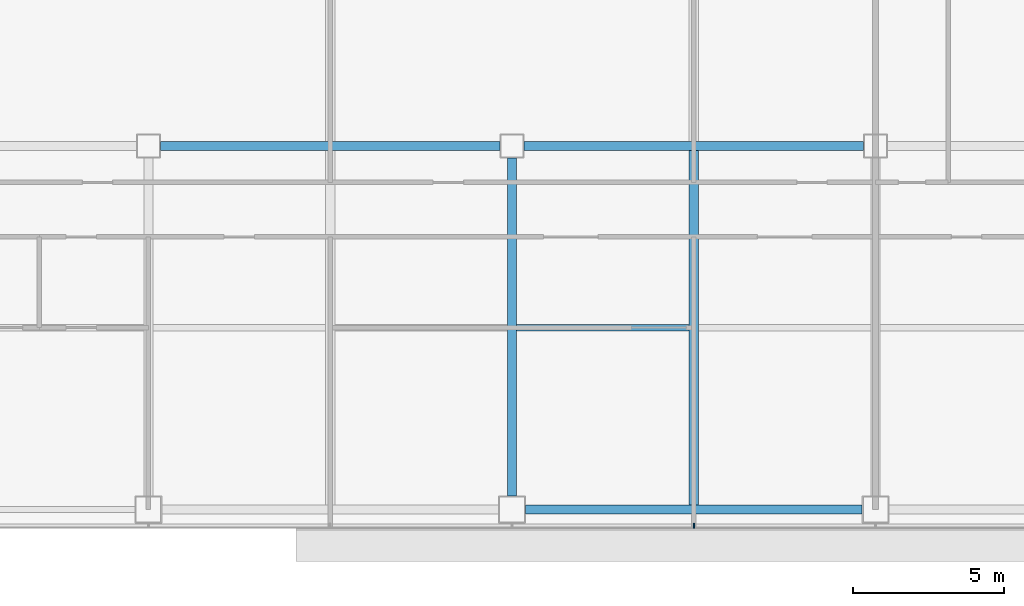
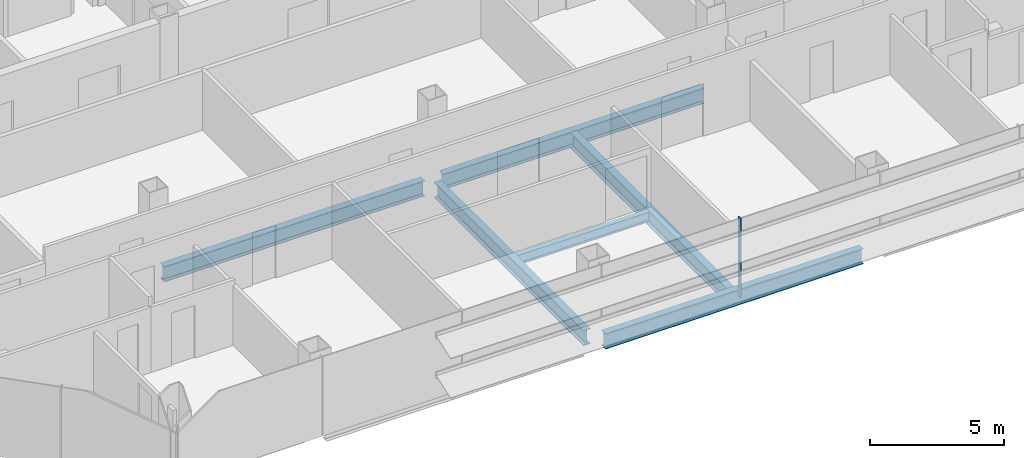
# One storey, part 3 of 27: 6 beams, 1 member, 1 element without a shape of its own.
"""IFC4 building model written with IfcOpenShell, lengths in metres."""

from ifc_helpers import new_model, si_unit, direction, frame, origin, origin_2d, place, context, subcontext, project, spatial, rectangle, i_section, extrude, material, material_profile, profile_set, type_object, element, aggregate, save


model = new_model("IFC4")

# Units and contexts
model_context = context("Model", 3, precision=1e-05, world=origin(), true_north=direction((0.0, 1.0)))
body_context = subcontext(model_context, "Body", "Model", "MODEL_VIEW")
ifc_project = project(units=[si_unit("LENGTHUNIT", "METRE"), si_unit("AREAUNIT", "SQUARE_METRE"), si_unit("VOLUMEUNIT", "CUBIC_METRE"), si_unit("PLANEANGLEUNIT", "RADIAN"), si_unit("MASSUNIT", "GRAM", prefix="KILO")], contexts=[model_context])

# Site, building, storey
site_placement = place(None, origin())
site = spatial("IfcSite", under=ifc_project, at=site_placement, CompositionType="ELEMENT")
building_placement = place(site_placement, origin())
building = spatial("IfcBuilding", under=site, at=building_placement, Name="Sorahane Residences", CompositionType="ELEMENT")
storey_placement = place(building_placement, frame((0.0, 0.0, 57.0)))
storey = spatial("IfcBuildingStorey", under=building, at=storey_placement, Name="L10", CompositionType="ELEMENT", Elevation=57.0)

# Curtain wall, member
ifc_material_1 = material(Name="Dark low-e glass and black anodised aluminium", Category="aluminium")
curtain_wall_type = type_object("IfcCurtainWallType", Name="Curtain wall CW-1 Typical unitised wall", PredefinedType="NOTDEFINED", material=ifc_material_1)
curtain_wall_placement = place(storey_placement, origin())
curtain_wall = element("IfcCurtainWall", 1, at=curtain_wall_placement, inside=storey, type_object=curtain_wall_type, Name="CW-1 curtain wall L10 S1", PredefinedType="NOTDEFINED")
ifc_material_2 = material(Name="Black anodised aluminium", Category="aluminium")
ifc_material_profile_1 = material_profile(ifc_material_2, rectangle(XDim=0.159912109375, YDim=0.050048828125, at=origin_2d()), Name="Curtain wall mullion CW-1 black anodised aluminium 50x160")
ifc_profile_set_1 = profile_set([ifc_material_profile_1], Name="Black anodised aluminium")
member_type = type_object("IfcMemberType", Name="Curtain wall mullion CW-1 black anodised aluminium 50x160", PredefinedType="MULLION", material=ifc_profile_set_1)
member_placement = place(storey_placement, frame((30.0, -0.5400390625, -0.179931640625), z_axis=(0.0, 0.0, 1.0), x_axis=(0.0, -1.0, 0.0)))
member = element("IfcMember", 2, at=member_placement, type_object=member_type, Name="CW-1 mullion L10 S1.5", PredefinedType="MULLION", context=body_context, shape_type="SweptSolid", body=[
    extrude(rectangle(XDim=0.159912109375, YDim=0.050048828125, at=origin_2d()), origin(), (0.0, 0.0, 1.0), 3.599853515625),
])
aggregate(curtain_wall, [member])

# Beams
ifc_material_3 = material(Name="Steel Q355B", Category="steel")
ifc_material_profile_2 = material_profile(ifc_material_3, i_section(OverallWidth=0.199951171875, OverallDepth=0.449951171875, WebThickness=0.009033203125, FlangeThickness=0.013916015625, FilletRadius=0.02001953125, at=origin_2d()), Name="HN 450x200x9x14")
ifc_profile_set_2 = profile_set([ifc_material_profile_2], Name="Steel Q355B")
beam_type_1 = type_object("IfcBeamType", Name="Steel floor beam HN 450x200x9x14 Q355B", PredefinedType="BEAM", material=ifc_profile_set_2)
beam_1_placement = place(storey_placement, frame((24.14990234375, 6.0, -0.405029296875), z_axis=(1.0, 0.0, 0.0), x_axis=(0.0, 1.0, 0.0)))
element("IfcBeam", 3, at=beam_1_placement, inside=storey, type_object=beam_type_1, Name="Beam L10 065", PredefinedType="BEAM", context=body_context, shape_type="SweptSolid", body=[
    extrude(i_section(OverallWidth=0.199951171875, OverallDepth=0.449951171875, WebThickness=0.009033203125, FlangeThickness=0.013916015625, FilletRadius=0.02001953125, at=origin_2d()), origin(), (0.0, 0.0, 1.0), 5.7001953125),
])
ifc_material_4 = material(Name="Steel Q355B", Category="steel")
ifc_material_profile_3 = material_profile(ifc_material_4, i_section(OverallWidth=0.300048828125, OverallDepth=0.699951171875, WebThickness=0.012939453125, FlangeThickness=0.02392578125, FilletRadius=0.028076171875, at=origin_2d()), Name="HN 700x300x13x24")
ifc_profile_set_3 = profile_set([ifc_material_profile_3], Name="Steel Q355B")
beam_type_2 = type_object("IfcBeamType", Name="Steel floor beam HN 700x300x13x24 Q355B", PredefinedType="BEAM", material=ifc_profile_set_3)
beam_2_placement = place(storey_placement, frame((24.449951171875, 0.0, -0.530029296875), z_axis=(1.0, 0.0, 0.0), x_axis=(0.0, 1.0, 0.0)))
element("IfcBeam", 4, at=beam_2_placement, inside=storey, type_object=beam_type_2, Name="Beam L10 002", PredefinedType="BEAM", context=body_context, shape_type="SweptSolid", body=[
    extrude(i_section(OverallWidth=0.300048828125, OverallDepth=0.699951171875, WebThickness=0.012939453125, FlangeThickness=0.02392578125, FilletRadius=0.028076171875, at=origin_2d()), origin(), (0.0, 0.0, 1.0), 11.10009765625),
])
for number, where, z_axis, x_axis, name in (
    (5, (12.39990234375, 12.0, -0.530029296875), (1.0, 0.0, 0.0), (0.0, 1.0, 0.0), "Beam L10 006"),
    (6, (24.39990234375, 12.0, -0.530029296875), (1.0, 0.0, 0.0), (0.0, 1.0, 0.0), "Beam L10 007"),
):
    element("IfcBeam", number, at=place(storey_placement, frame(where, z_axis=z_axis, x_axis=x_axis)), inside=storey, type_object=beam_type_2, Name=name, PredefinedType="BEAM", context=body_context, shape_type="SweptSolid", body=[
        extrude(i_section(OverallWidth=0.300048828125, OverallDepth=0.699951171875, WebThickness=0.012939453125, FlangeThickness=0.02392578125, FilletRadius=0.028076171875, at=origin_2d()), origin(), (0.0, 0.0, 1.0), 11.2001953125),
    ])
beam_3_placement = place(storey_placement, frame((24.0, 0.449951171875, -0.530029296875), z_axis=(0.0, 1.0, 0.0), x_axis=(-1.0, 0.0, 0.0)))
element("IfcBeam", 7, at=beam_3_placement, inside=storey, type_object=beam_type_2, Name="Beam L10 035", PredefinedType="BEAM", context=body_context, shape_type="SweptSolid", body=[
    extrude(i_section(OverallWidth=0.300048828125, OverallDepth=0.699951171875, WebThickness=0.012939453125, FlangeThickness=0.02392578125, FilletRadius=0.028076171875, at=origin_2d()), origin(), (0.0, 0.0, 1.0), 11.150146484375),
])
beam_4_placement = place(storey_placement, frame((30.0, 0.14990234375, -0.530029296875), z_axis=(0.0, 1.0, 0.0), x_axis=(-1.0, 0.0, 0.0)))
element("IfcBeam", 8, at=beam_4_placement, inside=storey, type_object=beam_type_2, Name="Beam L10 037", PredefinedType="BEAM", context=body_context, shape_type="SweptSolid", body=[
    extrude(i_section(OverallWidth=0.300048828125, OverallDepth=0.699951171875, WebThickness=0.012939453125, FlangeThickness=0.02392578125, FilletRadius=0.028076171875, at=origin_2d()), origin(), (0.0, 0.0, 1.0), 11.7001953125),
])

save(model, "model.ifc")
